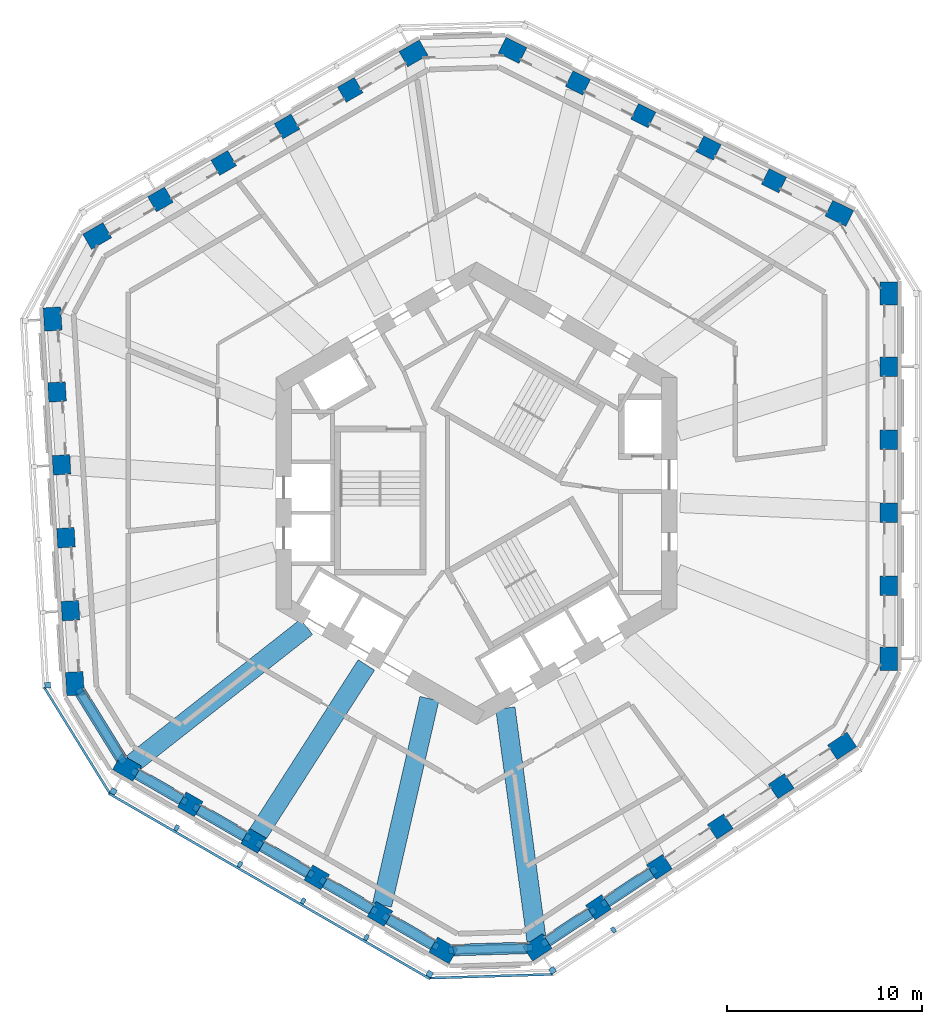
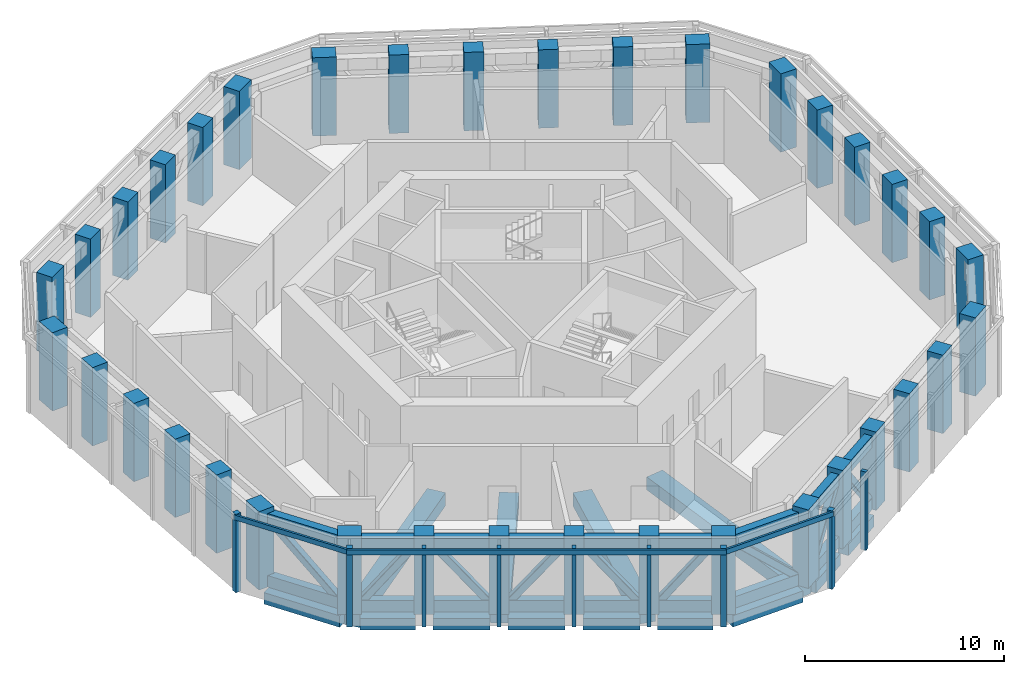
# One storey, part 1 of 15: 39 members, 36 columns, 13 beams, 5 elements without a shape of their own.
"""IFC4 building model written with IfcOpenShell, lengths in metres."""

from ifc_helpers import new_model, si_unit, direction, frame, origin, origin_2d, place, context, subcontext, project, spatial, rectangle, hollow_rectangle, extrude, material, material_profile, profile_set, type_object, element, aggregate, save


model = new_model("IFC4")

# Units and contexts
model_context = context("Model", 3, precision=1e-05, world=origin(), true_north=direction((0.0, 1.0)))
body_context = subcontext(model_context, "Body", "Model", "MODEL_VIEW")
ifc_project = project(units=[si_unit("LENGTHUNIT", "METRE"), si_unit("AREAUNIT", "SQUARE_METRE"), si_unit("VOLUMEUNIT", "CUBIC_METRE"), si_unit("PLANEANGLEUNIT", "RADIAN"), si_unit("MASSUNIT", "GRAM", prefix="KILO")], contexts=[model_context])

# Site, building, storey
site_placement = place(None, origin())
site = spatial("IfcSite", under=ifc_project, at=site_placement, CompositionType="ELEMENT")
building_placement = place(site_placement, origin())
building = spatial("IfcBuilding", under=site, at=building_placement, Name="Vanh Sen Convention Tower", CompositionType="ELEMENT")
storey_placement = place(building_placement, frame((0.0, 0.0, 205.800048828125)))
storey = spatial("IfcBuildingStorey", under=building, at=storey_placement, Name="L51", CompositionType="ELEMENT", Elevation=205.800048828125)

# Columns
ifc_material_1 = material(Name="Concrete C80/95", Category="concrete")
ifc_material_profile_1 = material_profile(ifc_material_1, rectangle(XDim=1.0, YDim=0.89990234375, at=origin_2d()), Name="RC 1000X900")
ifc_profile_set_1 = profile_set([ifc_material_profile_1], Name="Concrete C80/95")
column_type_1 = type_object("IfcColumnType", Name="Facade column 1000 x 900 C80/95", PredefinedType="COLUMN", material=ifc_profile_set_1)
for number, where, z_axis, x_axis, name in (
    (1, (21.199951171875, -4.746826171875, 0.0), (0.0, 0.0, 1.0), (0.0, 1.0, 0.0), "Facade column 02 L51"),
    (2, (21.199951171875, -0.992919921875, 0.0), (0.0, 0.0, 1.0), (0.0, 1.0, 0.0), "Facade column 03 L51"),
    (3, (21.199951171875, 2.76123046875, 0.0), (0.0, 0.0, 1.0), (0.0, 1.0, 0.0), "Facade column 04 L51"),
    (4, (21.199951171875, 6.515380859375, 0.0), (0.0, 0.0, 1.0), (0.0, 1.0, 0.0), "Facade column 05 L51"),
    (5, (15.290283203125, 16.0654296875, 0.0), (0.0, 0.0, 1.0), (-0.894934361602, 0.44619781311, 0.0), "Facade column 08 L51"),
    (6, (11.9306640625, 17.740478515625, 0.0), (0.0, 0.0, 1.0), (-0.894934361602, 0.44619781311, 0.0), "Facade column 09 L51"),
    (7, (8.57080078125, 19.41552734375, 0.0), (0.0, 0.0, 1.0), (-0.894934361602, 0.44619781311, 0.0), "Facade column 10 L51"),
    (8, (5.211181640625, 21.0908203125, 0.0), (0.0, 0.0, 1.0), (-0.894934361602, 0.44619781311, 0.0), "Facade column 11 L51"),
    (9, (-6.489013671875, 20.733154296875, 0.0), (0.0, 0.0, 1.0), (-0.866025403784, -0.5, 0.0), "Facade column 14 L51"),
    (10, (-9.740234375, 18.856201171875, 0.0), (0.0, 0.0, 1.0), (-0.866025403784, -0.5, 0.0), "Facade column 15 L51"),
    (11, (-12.991455078125, 16.97900390625, 0.0), (0.0, 0.0, 1.0), (-0.866025403784, -0.5, 0.0), "Facade column 16 L51"),
    (12, (-16.242431640625, 15.10205078125, 0.0), (0.0, 0.0, 1.0), (-0.866025403784, -0.5, 0.0), "Facade column 17 L51"),
    (13, (-21.55810546875, 5.208984375, 0.0), (0.0, 0.0, 1.0), (0.061048539535, -0.998134798422, 0.0), "Facade column 20 L51"),
    (14, (-21.3291015625, 1.4619140625, 0.0), (0.0, 0.0, 1.0), (0.061048539535, -0.998134798422, 0.0), "Facade column 21 L51"),
    (15, (-21.099853515625, -2.28515625, 0.0), (0.0, 0.0, 1.0), (0.061048539535, -0.998134798422, 0.0), "Facade column 22 L51"),
    (16, (-20.87060546875, -6.0322265625, 0.0), (0.0, 0.0, 1.0), (0.061048539535, -0.998134798422, 0.0), "Facade column 23 L51"),
    (17, (-14.7109375, -15.986328125, 0.0), (0.0, 0.0, 1.0), (0.866025403784, -0.5, 0.0), "Facade column 26 L51"),
    (18, (-11.459716796875, -17.86328125, 0.0), (0.0, 0.0, 1.0), (0.866025403784, -0.5, 0.0), "Facade column 27 L51"),
    (19, (-8.20849609375, -19.740478515625, 0.0), (0.0, 0.0, 1.0), (0.866025403784, -0.5, 0.0), "Facade column 28 L51"),
    (20, (-4.95751953125, -21.617431640625, 0.0), (0.0, 0.0, 1.0), (0.866025403784, -0.5, 0.0), "Facade column 29 L51"),
    (21, (6.267822265625, -21.2744140625, 0.0), (0.0, 0.0, 1.0), (0.833885822067, 0.551936985312, 0.0), "Facade column 32 L51"),
    (22, (9.3984375, -19.202392578125, 0.0), (0.0, 0.0, 1.0), (0.833885822067, 0.551936985312, 0.0), "Facade column 33 L51"),
    (23, (12.52880859375, -17.13037109375, 0.0), (0.0, 0.0, 1.0), (0.833885822067, 0.551936985312, 0.0), "Facade column 34 L51"),
    (24, (15.659423828125, -15.058349609375, 0.0), (0.0, 0.0, 1.0), (0.833885822067, 0.551936985312, 0.0), "Facade column 35 L51"),
):
    element("IfcColumn", number, at=place(storey_placement, frame(where, z_axis=z_axis, x_axis=x_axis)), inside=storey, type_object=column_type_1, Name=name, PredefinedType="COLUMN", context=body_context, shape_type="SweptSolid", body=[
        extrude(rectangle(XDim=1.0, YDim=0.89990234375, at=origin_2d()), origin(), (0.0, 0.0, 1.0), 4.800048828125),
    ])
ifc_material_profile_2 = material_profile(ifc_material_1, rectangle(XDim=1.199951171875, YDim=0.89990234375, at=origin_2d()), Name="RC 1200X900")
ifc_profile_set_2 = profile_set([ifc_material_profile_2], Name="Concrete C80/95")
column_type_2 = type_object("IfcColumnType", Name="Facade corner column 1200 x 900 C80/95", PredefinedType="COLUMN", material=ifc_profile_set_2)
for number, where, z_axis, x_axis, name in (
    (25, (21.199951171875, -8.5009765625, 0.0), (0.0, 0.0, 1.0), (0.0, 1.0, 0.0), "Facade column 01 L51"),
    (26, (21.199951171875, 10.26953125, 0.0), (0.0, 0.0, 1.0), (0.0, 1.0, 0.0), "Facade column 06 L51"),
    (27, (18.64990234375, 14.390380859375, 0.0), (0.0, 0.0, 1.0), (-0.894934361602, 0.44619781311, 0.0), "Facade column 07 L51"),
    (28, (1.8515625, 22.765625, 0.0), (0.0, 0.0, 1.0), (-0.894934361602, 0.44619781311, 0.0), "Facade column 12 L51"),
    (29, (-3.23779296875, 22.610107421875, 0.0), (0.0, 0.0, 1.0), (-0.866025403784, -0.5, 0.0), "Facade column 13 L51"),
    (30, (-19.49365234375, 13.22509765625, 0.0), (0.0, 0.0, 1.0), (-0.866025403784, -0.5, 0.0), "Facade column 18 L51"),
    (31, (-21.787353515625, 8.956298828125, 0.0), (0.0, 0.0, 1.0), (0.061048539535, -0.998134798422, 0.0), "Facade column 19 L51"),
    (32, (-20.6416015625, -9.779296875, 0.0), (0.0, 0.0, 1.0), (0.061048539535, -0.998134798422, 0.0), "Facade column 24 L51"),
    (33, (-17.962158203125, -14.109130859375, 0.0), (0.0, 0.0, 1.0), (0.866025403784, -0.5, 0.0), "Facade column 25 L51"),
    (34, (-1.706298828125, -23.494384765625, 0.0), (0.0, 0.0, 1.0), (0.866025403784, -0.5, 0.0), "Facade column 30 L51"),
    (35, (3.137451171875, -23.346435546875, 0.0), (0.0, 0.0, 1.0), (0.833885822067, 0.551936985312, 0.0), "Facade column 31 L51"),
    (36, (18.789794921875, -12.986328125, 0.0), (0.0, 0.0, 1.0), (0.833885822067, 0.551936985312, 0.0), "Facade column 36 L51"),
):
    element("IfcColumn", number, at=place(storey_placement, frame(where, z_axis=z_axis, x_axis=x_axis)), inside=storey, type_object=column_type_2, Name=name, PredefinedType="COLUMN", context=body_context, shape_type="SweptSolid", body=[
        extrude(rectangle(XDim=1.199951171875, YDim=0.89990234375, at=origin_2d()), origin(), (0.0, 0.0, 1.0), 4.800048828125),
    ])

# Members
ifc_material_2 = material(Name="Steel S460", Category="steel")
ifc_material_profile_3 = material_profile(ifc_material_2, hollow_rectangle(XDim=0.449951171875, YDim=0.699951171875, WallThickness=0.035888671875, at=origin_2d()), Name="BOX 700X450X36")
ifc_profile_set_3 = profile_set([ifc_material_profile_3], Name="Steel S460")
member_type_1 = type_object("IfcMemberType", Name="Belt truss chord BOX 700X450X36", PredefinedType="CHORD", material=ifc_profile_set_3)
for number, where, z_axis, x_axis, name in (
    (37, (-20.3642578125, -10.2275390625, 0.349853515625), (0.526210982295, -0.850354045156, 0.0), (0.850354045156, 0.526210982295, 0.0), "BELT TRUSS chord bottom 24 L51"),
    (38, (-20.3642578125, -10.2275390625, 4.14990234375), (0.526210982295, -0.850354045156, 0.0), (0.850354045156, 0.526210982295, 0.0), "BELT TRUSS chord top 24 L51"),
):
    element("IfcMember", number, at=place(storey_placement, frame(where, z_axis=z_axis, x_axis=x_axis)), inside=storey, type_object=member_type_1, Name=name, PredefinedType="CHORD", context=body_context, shape_type="SweptSolid", body=[
        extrude(hollow_rectangle(XDim=0.449951171875, YDim=0.699951171875, WallThickness=0.035888671875, at=origin_2d()), origin(), (0.0, 0.0, 1.0), 4.037841796875),
    ])
for number, where, z_axis, x_axis, name in (
    (39, (-17.44677734375, -14.40673828125, 0.349853515625), (0.866023818221, -0.500002746266, 0.0), (0.500002746266, 0.866023818221, 0.0), "BELT TRUSS chord bottom 25 L51"),
    (40, (-17.44677734375, -14.40673828125, 4.14990234375), (0.866023818221, -0.500002746266, 0.0), (0.500002746266, 0.866023818221, 0.0), "BELT TRUSS chord top 25 L51"),
):
    element("IfcMember", number, at=place(storey_placement, frame(where, z_axis=z_axis, x_axis=x_axis)), inside=storey, type_object=member_type_1, Name=name, PredefinedType="CHORD", context=body_context, shape_type="SweptSolid", body=[
        extrude(hollow_rectangle(XDim=0.449951171875, YDim=0.699951171875, WallThickness=0.035888671875, at=origin_2d()), origin(), (0.0, 0.0, 1.0), 2.6640625),
    ])
for number, where, z_axis, x_axis, name in (
    (41, (-14.2822265625, -16.23388671875, 0.349853515625), (0.866060565847, -0.499939092575, 0.0), (0.499939092575, 0.866060565847, 0.0), "BELT TRUSS chord bottom 26 L51"),
    (42, (-14.2822265625, -16.23388671875, 4.14990234375), (0.866060565847, -0.499939092575, 0.0), (0.499939092575, 0.866060565847, 0.0), "BELT TRUSS chord top 26 L51"),
):
    element("IfcMember", number, at=place(storey_placement, frame(where, z_axis=z_axis, x_axis=x_axis)), inside=storey, type_object=member_type_1, Name=name, PredefinedType="CHORD", context=body_context, shape_type="SweptSolid", body=[
        extrude(hollow_rectangle(XDim=0.449951171875, YDim=0.699951171875, WallThickness=0.035888671875, at=origin_2d()), origin(), (0.0, 0.0, 1.0), 2.763916015625),
    ])
for number, where, z_axis, x_axis, name in (
    (43, (-11.031005859375, -18.11083984375, 0.349853515625), (0.866022320763, -0.500005339912, 0.0), (0.500005339912, 0.866022320763, 0.0), "BELT TRUSS chord bottom 27 L51"),
    (44, (-11.031005859375, -18.11083984375, 4.14990234375), (0.866022320763, -0.500005339912, 0.0), (0.500005339912, 0.866022320763, 0.0), "BELT TRUSS chord top 27 L51"),
    (45, (-7.77978515625, -19.98779296875, 0.349853515625), (0.865961984968, -0.500109828528, 0.0), (0.500109828528, 0.865961984968, 0.0), "BELT TRUSS chord bottom 28 L51"),
    (46, (-7.77978515625, -19.98779296875, 4.14990234375), (0.865961984968, -0.500109828528, 0.0), (0.500109828528, 0.865961984968, 0.0), "BELT TRUSS chord top 28 L51"),
):
    element("IfcMember", number, at=place(storey_placement, frame(where, z_axis=z_axis, x_axis=x_axis)), inside=storey, type_object=member_type_1, Name=name, PredefinedType="CHORD", context=body_context, shape_type="SweptSolid", body=[
        extrude(hollow_rectangle(XDim=0.449951171875, YDim=0.699951171875, WallThickness=0.035888671875, at=origin_2d()), origin(), (0.0, 0.0, 1.0), 2.76416015625),
    ])
for number, where, z_axis, x_axis, name in (
    (47, (-4.52880859375, -21.864990234375, 0.349853515625), (0.866023818221, -0.500002746266, 0.0), (0.500002746266, 0.866023818221, 0.0), "BELT TRUSS chord bottom 29 L51"),
    (48, (-4.52880859375, -21.864990234375, 4.14990234375), (0.866023818221, -0.500002746266, 0.0), (0.500002746266, 0.866023818221, 0.0), "BELT TRUSS chord top 29 L51"),
):
    element("IfcMember", number, at=place(storey_placement, frame(where, z_axis=z_axis, x_axis=x_axis)), inside=storey, type_object=member_type_1, Name=name, PredefinedType="CHORD", context=body_context, shape_type="SweptSolid", body=[
        extrude(hollow_rectangle(XDim=0.449951171875, YDim=0.699951171875, WallThickness=0.035888671875, at=origin_2d()), origin(), (0.0, 0.0, 1.0), 2.6640625),
    ])
for number, where, z_axis, x_axis, name in (
    (49, (-1.219970703125, -23.4794921875, 0.349853515625), (0.999534445971, 0.030510511595, 0.0), (-0.030510511595, 0.999534445971, 0.0), "BELT TRUSS chord bottom 30 L51"),
    (50, (-1.219970703125, -23.4794921875, 4.14990234375), (0.999534445971, 0.030510511595, 0.0), (-0.030510511595, 0.999534445971, 0.0), "BELT TRUSS chord top 30 L51"),
):
    element("IfcMember", number, at=place(storey_placement, frame(where, z_axis=z_axis, x_axis=x_axis)), inside=storey, type_object=member_type_1, Name=name, PredefinedType="CHORD", context=body_context, shape_type="SweptSolid", body=[
        extrude(hollow_rectangle(XDim=0.449951171875, YDim=0.699951171875, WallThickness=0.035888671875, at=origin_2d()), origin(), (0.0, 0.0, 1.0), 3.872802734375),
    ])
for number, where, z_axis, x_axis, name in (
    (51, (3.633544921875, -23.01806640625, 0.349853515625), (0.833864593577, 0.551969056722, 0.0), (-0.551969056722, 0.833864593577, 0.0), "BELT TRUSS chord bottom 31 L51"),
    (52, (3.633544921875, -23.01806640625, 4.14990234375), (0.833864593577, 0.551969056722, 0.0), (-0.551969056722, 0.833864593577, 0.0), "BELT TRUSS chord top 31 L51"),
):
    element("IfcMember", number, at=place(storey_placement, frame(where, z_axis=z_axis, x_axis=x_axis)), inside=storey, type_object=member_type_1, Name=name, PredefinedType="CHORD", context=body_context, shape_type="SweptSolid", body=[
        extrude(hollow_rectangle(XDim=0.449951171875, YDim=0.699951171875, WallThickness=0.035888671875, at=origin_2d()), origin(), (0.0, 0.0, 1.0), 2.6640625),
    ])
for number, where, z_axis, x_axis, name in (
    (53, (6.6806640625, -21.001220703125, 0.349853515625), (0.833880195108, 0.551945486625, 0.0), (-0.551945486625, 0.833880195108, 0.0), "BELT TRUSS chord bottom 32 L51"),
    (54, (6.6806640625, -21.001220703125, 4.14990234375), (0.833880195108, 0.551945486625, 0.0), (-0.551945486625, 0.833880195108, 0.0), "BELT TRUSS chord top 32 L51"),
):
    element("IfcMember", number, at=place(storey_placement, frame(where, z_axis=z_axis, x_axis=x_axis)), inside=storey, type_object=member_type_1, Name=name, PredefinedType="CHORD", context=body_context, shape_type="SweptSolid", body=[
        extrude(hollow_rectangle(XDim=0.449951171875, YDim=0.699951171875, WallThickness=0.035888671875, at=origin_2d()), origin(), (0.0, 0.0, 1.0), 2.76416015625),
    ])
ifc_material_3 = material(Name="Steel S355", Category="steel")
ifc_material_profile_4 = material_profile(ifc_material_3, hollow_rectangle(XDim=0.39990234375, YDim=0.39990234375, WallThickness=0.02001953125, InnerFilletRadius=0.02001953125, OuterFilletRadius=0.0400390625, at=origin_2d()), Name="SHS 400X400X20")
ifc_profile_set_4 = profile_set([ifc_material_profile_4], Name="Steel S355")
member_type_2 = type_object("IfcMemberType", Name="Belt truss diagonal SHS 400X400X20", PredefinedType="BRACE", material=ifc_profile_set_4)
member_1_placement = place(storey_placement, frame((-20.4052734375, -10.161376953125, 4.14990234375), z_axis=(0.3899498344, -0.630114756195, -0.671486798588), x_axis=(0.850338340979, 0.526236359312, 0.0)))
element("IfcMember", 55, at=member_1_placement, inside=storey, type_object=member_type_2, Name="BELT TRUSS diagonal 24 L51", PredefinedType="BRACE", context=body_context, shape_type="SweptSolid", body=[
    extrude(hollow_rectangle(XDim=0.39990234375, YDim=0.39990234375, WallThickness=0.02001953125, InnerFilletRadius=0.02001953125, OuterFilletRadius=0.0400390625, at=origin_2d()), origin(), (0.0, 0.0, 1.0), 5.6591796875),
])
member_2_placement = place(storey_placement, frame((-17.570068359375, -14.335693359375, 0.349853515625), z_axis=(0.530931450523, -0.306478403275, 0.790052392675), x_axis=(0.499932695379, 0.866064258639, 0.0)))
element("IfcMember", 56, at=member_2_placement, inside=storey, type_object=member_type_2, Name="BELT TRUSS diagonal 25 L51", PredefinedType="BRACE", context=body_context, shape_type="SweptSolid", body=[
    extrude(hollow_rectangle(XDim=0.39990234375, YDim=0.39990234375, WallThickness=0.02001953125, InnerFilletRadius=0.02001953125, OuterFilletRadius=0.0400390625, at=origin_2d()), origin(), (0.0, 0.0, 1.0), 4.809814453125),
])
for number, where, z_axis, x_axis, name in (
    (57, (-14.405517578125, -16.16259765625, 4.14990234375), (0.541921133937, -0.312905082329, -0.780007624351), (0.500032083853, 0.866006879371, 0.0), "BELT TRUSS diagonal 26 L51"),
    (58, (-11.154296875, -18.039794921875, 0.349853515625), (0.541929631098, -0.312859874879, 0.780019854637), (0.499972021306, 0.866041556688, 0.0), "BELT TRUSS diagonal 27 L51"),
    (59, (-7.903076171875, -19.916748046875, 4.14990234375), (0.541921133937, -0.312905082329, -0.780007624351), (0.500032083853, 0.866006879371, 0.0), "BELT TRUSS diagonal 28 L51"),
):
    element("IfcMember", number, at=place(storey_placement, frame(where, z_axis=z_axis, x_axis=x_axis)), inside=storey, type_object=member_type_2, Name=name, PredefinedType="BRACE", context=body_context, shape_type="SweptSolid", body=[
        extrude(hollow_rectangle(XDim=0.39990234375, YDim=0.39990234375, WallThickness=0.02001953125, InnerFilletRadius=0.02001953125, OuterFilletRadius=0.0400390625, at=origin_2d()), origin(), (0.0, 0.0, 1.0), 4.871826171875),
    ])
member_3_placement = place(storey_placement, frame((-4.652099609375, -21.793701171875, 0.349853515625), z_axis=(0.530914929887, -0.306570380164, 0.790027809149), x_axis=(0.500056887695, 0.865992557167, 0.0)))
element("IfcMember", 60, at=member_3_placement, inside=storey, type_object=member_type_2, Name="BELT TRUSS diagonal 29 L51", PredefinedType="BRACE", context=body_context, shape_type="SweptSolid", body=[
    extrude(hollow_rectangle(XDim=0.39990234375, YDim=0.39990234375, WallThickness=0.02001953125, InnerFilletRadius=0.02001953125, OuterFilletRadius=0.0400390625, at=origin_2d()), origin(), (0.0, 0.0, 1.0), 4.81005859375),
])
member_4_placement = place(storey_placement, frame((-1.302978515625, -23.482177734375, 4.14990234375), z_axis=(0.727961830653, 0.022232883246, -0.685257084615), x_axis=(-0.030527042052, 0.999533941246, 0.0)))
element("IfcMember", 61, at=member_4_placement, inside=storey, type_object=member_type_2, Name="BELT TRUSS diagonal 30 L51", PredefinedType="BRACE", context=body_context, shape_type="SweptSolid", body=[
    extrude(hollow_rectangle(XDim=0.39990234375, YDim=0.39990234375, WallThickness=0.02001953125, InnerFilletRadius=0.02001953125, OuterFilletRadius=0.0400390625, at=origin_2d()), origin(), (0.0, 0.0, 1.0), 5.54541015625),
])
member_5_placement = place(storey_placement, frame((3.514892578125, -23.0966796875, 0.349853515625), z_axis=(0.511229541221, 0.338349495808, 0.790040489386), x_axis=(-0.551907544043, 0.833905308071, 0.0)))
element("IfcMember", 62, at=member_5_placement, inside=storey, type_object=member_type_2, Name="BELT TRUSS diagonal 31 L51", PredefinedType="BRACE", context=body_context, shape_type="SweptSolid", body=[
    extrude(hollow_rectangle(XDim=0.39990234375, YDim=0.39990234375, WallThickness=0.02001953125, InnerFilletRadius=0.02001953125, OuterFilletRadius=0.0400390625, at=origin_2d()), origin(), (0.0, 0.0, 1.0), 4.81005859375),
])
member_6_placement = place(storey_placement, frame((6.56201171875, -21.079833984375, 4.14990234375), z_axis=(0.521825786206, 0.34537821171, -0.78000752543), x_axis=(-0.551925048977, 0.833893722432, 0.0)))
element("IfcMember", 63, at=member_6_placement, inside=storey, type_object=member_type_2, Name="BELT TRUSS diagonal 32 L51", PredefinedType="BRACE", context=body_context, shape_type="SweptSolid", body=[
    extrude(hollow_rectangle(XDim=0.39990234375, YDim=0.39990234375, WallThickness=0.02001953125, InnerFilletRadius=0.02001953125, OuterFilletRadius=0.0400390625, at=origin_2d()), origin(), (0.0, 0.0, 1.0), 4.871826171875),
])

# Curtain wall, member
ifc_material_4 = material(Name="Concrete C50/60", Category="concrete")
curtain_wall_type = type_object("IfcCurtainWallType", Name="Outer skin office zone", PredefinedType="NOTDEFINED", material=ifc_material_4)
curtain_wall_1_placement = place(storey_placement, origin())
curtain_wall_1 = element("IfcCurtainWall", 64, at=curtain_wall_1_placement, inside=storey, type_object=curtain_wall_type, Name="OUTER SKIN W L51", PredefinedType="NOTDEFINED")
ifc_material_profile_5 = material_profile(ifc_material_4, rectangle(XDim=0.300048828125, YDim=0.300048828125, at=origin_2d()), Name="Outer skin precast corner fin 300 x 300")
ifc_profile_set_5 = profile_set([ifc_material_profile_5], Name="Concrete C50/60")
member_type_3 = type_object("IfcMemberType", Name="Outer skin precast corner fin 300 x 300", PredefinedType="MULLION", material=ifc_profile_set_5)
member_7_placement = place(storey_placement, frame((-22.038818359375, -9.864990234375, 0.0), z_axis=(0.0, 0.0, 1.0), x_axis=(0.061048539535, -0.998134798422, 0.0)))
member_7 = element("IfcMember", 65, at=member_7_placement, type_object=member_type_3, Name="OUTER SKIN CORNER FIN 6 W L51", PredefinedType="MULLION", context=body_context, shape_type="SweptSolid", body=[
    extrude(rectangle(XDim=0.300048828125, YDim=0.300048828125, at=origin_2d()), origin(), (0.0, 0.0, 1.0), 4.800048828125),
])
aggregate(curtain_wall_1, [member_7])

# Curtain wall, members
curtain_wall_2_placement = place(storey_placement, origin())
curtain_wall_2 = element("IfcCurtainWall", 66, at=curtain_wall_2_placement, inside=storey, type_object=curtain_wall_type, Name="OUTER SKIN SW L51", PredefinedType="NOTDEFINED")
member_8_placement = place(storey_placement, frame((-18.662109375, -15.321533203125, 0.0), z_axis=(0.0, 0.0, 1.0), x_axis=(0.866025403784, -0.5, 0.0)))
member_8 = element("IfcMember", 67, at=member_8_placement, type_object=member_type_3, Name="OUTER SKIN CORNER FIN 1 SW L51", PredefinedType="MULLION", context=body_context, shape_type="SweptSolid", body=[
    extrude(rectangle(XDim=0.300048828125, YDim=0.300048828125, at=origin_2d()), origin(), (0.0, 0.0, 1.0), 4.800048828125),
])
member_9_placement = place(storey_placement, frame((-2.40625, -24.706787109375, 0.0), z_axis=(0.0, 0.0, 1.0), x_axis=(0.866025403784, -0.5, 0.0)))
member_9 = element("IfcMember", 68, at=member_9_placement, type_object=member_type_3, Name="OUTER SKIN CORNER FIN 6 SW L51", PredefinedType="MULLION", context=body_context, shape_type="SweptSolid", body=[
    extrude(rectangle(XDim=0.300048828125, YDim=0.300048828125, at=origin_2d()), origin(), (0.0, 0.0, 1.0), 4.800048828125),
])

# Curtain wall, member
curtain_wall_3_placement = place(storey_placement, origin())
curtain_wall_3 = element("IfcCurtainWall", 69, at=curtain_wall_3_placement, inside=storey, type_object=curtain_wall_type, Name="OUTER SKIN SE L51", PredefinedType="NOTDEFINED")
member_10_placement = place(storey_placement, frame((3.91015625, -24.513916015625, 0.0), z_axis=(0.0, 0.0, 1.0), x_axis=(0.833885822067, 0.551936985312, 0.0)))
member_10 = element("IfcMember", 70, at=member_10_placement, type_object=member_type_3, Name="OUTER SKIN CORNER FIN 1 SE L51", PredefinedType="MULLION", context=body_context, shape_type="SweptSolid", body=[
    extrude(rectangle(XDim=0.300048828125, YDim=0.300048828125, at=origin_2d()), origin(), (0.0, 0.0, 1.0), 4.800048828125),
])

# Member
ifc_material_profile_6 = material_profile(ifc_material_4, rectangle(XDim=0.199951171875, YDim=0.300048828125, at=origin_2d()), Name="Outer skin precast fin 200 x 300")
ifc_profile_set_6 = profile_set([ifc_material_profile_6], Name="Concrete C50/60")
member_type_4 = type_object("IfcMemberType", Name="Outer skin precast fin 200 x 300", PredefinedType="MULLION", material=ifc_profile_set_6)
member_11_placement = place(storey_placement, frame((-15.410888671875, -17.19873046875, 0.0), z_axis=(0.0, 0.0, 1.0), x_axis=(0.866025403784, -0.5, 0.0)))
member_11 = element("IfcMember", 71, at=member_11_placement, type_object=member_type_4, Name="OUTER SKIN fin 2 SW L51", PredefinedType="MULLION", context=body_context, shape_type="SweptSolid", body=[
    extrude(rectangle(XDim=0.199951171875, YDim=0.300048828125, at=origin_2d()), origin(), (0.0, 0.0, 1.0), 4.800048828125),
])

member_12_placement = place(storey_placement, frame((-12.159912109375, -19.07568359375, 0.0), z_axis=(0.0, 0.0, 1.0), x_axis=(0.866025403784, -0.5, 0.0)))
member_12 = element("IfcMember", 72, at=member_12_placement, type_object=member_type_4, Name="OUTER SKIN fin 3 SW L51", PredefinedType="MULLION", context=body_context, shape_type="SweptSolid", body=[
    extrude(rectangle(XDim=0.199951171875, YDim=0.300048828125, at=origin_2d()), origin(), (0.0, 0.0, 1.0), 4.800048828125),
])

member_13_placement = place(storey_placement, frame((-8.90869140625, -20.952880859375, 0.0), z_axis=(0.0, 0.0, 1.0), x_axis=(0.866025403784, -0.5, 0.0)))
member_13 = element("IfcMember", 73, at=member_13_placement, type_object=member_type_4, Name="OUTER SKIN fin 4 SW L51", PredefinedType="MULLION", context=body_context, shape_type="SweptSolid", body=[
    extrude(rectangle(XDim=0.199951171875, YDim=0.300048828125, at=origin_2d()), origin(), (0.0, 0.0, 1.0), 4.800048828125),
])

member_14_placement = place(storey_placement, frame((-5.657470703125, -22.829833984375, 0.0), z_axis=(0.0, 0.0, 1.0), x_axis=(0.866025403784, -0.5, 0.0)))
member_14 = element("IfcMember", 74, at=member_14_placement, type_object=member_type_4, Name="OUTER SKIN fin 5 SW L51", PredefinedType="MULLION", context=body_context, shape_type="SweptSolid", body=[
    extrude(rectangle(XDim=0.199951171875, YDim=0.300048828125, at=origin_2d()), origin(), (0.0, 0.0, 1.0), 4.800048828125),
])

member_15_placement = place(storey_placement, frame((7.04052734375, -22.44189453125, 0.0), z_axis=(0.0, 0.0, 1.0), x_axis=(0.833885822067, 0.551936985312, 0.0)))
member_15 = element("IfcMember", 75, at=member_15_placement, type_object=member_type_4, Name="OUTER SKIN fin 2 SE L51", PredefinedType="MULLION", context=body_context, shape_type="SweptSolid", body=[
    extrude(rectangle(XDim=0.199951171875, YDim=0.300048828125, at=origin_2d()), origin(), (0.0, 0.0, 1.0), 4.800048828125),
])

aggregate(curtain_wall_3, [member_10, member_15])

# Curtain wall, member
curtain_wall_4_placement = place(storey_placement, origin())
curtain_wall_4 = element("IfcCurtainWall", 76, at=curtain_wall_4_placement, inside=storey, type_object=curtain_wall_type, Name="OUTER SKIN CH4 L51", PredefinedType="NOTDEFINED")
ifc_material_profile_7 = material_profile(ifc_material_4, rectangle(XDim=0.1201171875, YDim=0.300048828125, at=origin_2d()), Name="Outer skin precast spandrel band 300 x 120")
ifc_profile_set_7 = profile_set([ifc_material_profile_7], Name="Concrete C50/60")
member_type_5 = type_object("IfcMemberType", Name="Outer skin precast spandrel band 300 x 120", PredefinedType="USERDEFINED", material=ifc_profile_set_7)
member_16_placement = place(storey_placement, frame((-22.217529296875, -9.975341796875, 4.64990234375), z_axis=(0.526207913146, -0.85035594438, 0.0), x_axis=(0.85035594438, 0.526207913146, 0.0)))
member_16 = element("IfcMember", 77, at=member_16_placement, type_object=member_type_5, Name="OUTER SKIN spandrel band CH4 L51", ObjectType="TRANSOM", PredefinedType="USERDEFINED", context=body_context, shape_type="SweptSolid", body=[
    extrude(rectangle(XDim=0.1201171875, YDim=0.300048828125, at=origin_2d()), origin(), (0.0, 0.0, 1.0), 6.4169921875),
])
aggregate(curtain_wall_4, [member_16])

# Member
member_17_placement = place(storey_placement, frame((-18.89697265625, -15.428466796875, 4.64990234375), z_axis=(0.866023136587, -0.500003926881, 0.0), x_axis=(0.500003926881, 0.866023136587, 0.0)))
member_17 = element("IfcMember", 78, at=member_17_placement, type_object=member_type_5, Name="OUTER SKIN spandrel band SW L51", ObjectType="TRANSOM", PredefinedType="USERDEFINED", context=body_context, shape_type="SweptSolid", body=[
    extrude(rectangle(XDim=0.1201171875, YDim=0.300048828125, at=origin_2d()), origin(), (0.0, 0.0, 1.0), 19.070556640625),
])

aggregate(curtain_wall_2, [member_8, member_11, member_12, member_13, member_14, member_9, member_17])

# Curtain wall, member
curtain_wall_5_placement = place(storey_placement, origin())
curtain_wall_5 = element("IfcCurtainWall", 79, at=curtain_wall_5_placement, inside=storey, type_object=curtain_wall_type, Name="OUTER SKIN CH5 L51", PredefinedType="NOTDEFINED")
member_18_placement = place(storey_placement, frame((-2.39990234375, -24.916748046875, 4.64990234375), z_axis=(0.99953413443, 0.030520716071, 0.0), x_axis=(-0.030520716071, 0.99953413443, 0.0)))
member_18 = element("IfcMember", 80, at=member_18_placement, type_object=member_type_5, Name="OUTER SKIN spandrel band CH5 L51", ObjectType="TRANSOM", PredefinedType="USERDEFINED", context=body_context, shape_type="SweptSolid", body=[
    extrude(rectangle(XDim=0.1201171875, YDim=0.300048828125, at=origin_2d()), origin(), (0.0, 0.0, 1.0), 6.3193359375),
])
aggregate(curtain_wall_5, [member_18])

# Beams
ifc_material_5 = material(Name="Concrete C50/60", Category="concrete")
ifc_material_profile_8 = material_profile(ifc_material_5, rectangle(XDim=1.0, YDim=0.800048828125, at=origin_2d()), Name="RC 1000X800")
ifc_profile_set_8 = profile_set([ifc_material_profile_8], Name="Concrete C50/60")
beam_type_1 = type_object("IfcBeamType", Name="Radial floor beam 1000 x 800", PredefinedType="BEAM", material=ifc_profile_set_8)
beam_1_placement = place(storey_placement, frame((-17.784423828125, -13.9697265625, -0.75), z_axis=(0.786391215276, 0.61772878882, 0.0), x_axis=(-0.61772878882, 0.786391215276, 0.0)))
element("IfcBeam", 81, at=beam_1_placement, inside=storey, type_object=beam_type_1, Name="Radial beam 13 L51", PredefinedType="BEAM", context=body_context, shape_type="SweptSolid", body=[
    extrude(rectangle(XDim=1.0, YDim=0.800048828125, at=origin_2d()), origin(), (0.0, 0.0, 1.0), 11.5078125),
])
beam_2_placement = place(storey_placement, frame((-11.21923828125, -17.48828125, -0.75), z_axis=(0.539974665262, 0.84168127036, 0.0), x_axis=(-0.84168127036, 0.539974665262, 0.0)))
element("IfcBeam", 82, at=beam_2_placement, inside=storey, type_object=beam_type_1, Name="Radial beam 14 L51", PredefinedType="BEAM", context=body_context, shape_type="SweptSolid", body=[
    extrude(rectangle(XDim=1.0, YDim=0.800048828125, at=origin_2d()), origin(), (0.0, 0.0, 1.0), 10.294677734375),
])
beam_3_placement = place(storey_placement, frame((-4.853515625, -21.16357421875, -0.75), z_axis=(0.223531065408, 0.974696805575, 0.0), x_axis=(-0.974696805575, 0.223531065408, 0.0)))
element("IfcBeam", 83, at=beam_3_placement, inside=storey, type_object=beam_type_1, Name="Radial beam 15 L51", PredefinedType="BEAM", context=body_context, shape_type="SweptSolid", body=[
    extrude(rectangle(XDim=1.0, YDim=0.800048828125, at=origin_2d()), origin(), (0.0, 0.0, 1.0), 10.886962890625),
])
beam_4_placement = place(storey_placement, frame((3.107421875, -23.1240234375, -0.75), z_axis=(-0.133186919827, 0.991090936487, 0.0), x_axis=(-0.991090936487, -0.133186919827, 0.0)))
element("IfcBeam", 84, at=beam_4_placement, inside=storey, type_object=beam_type_1, Name="Radial beam 16 L51", PredefinedType="BEAM", context=body_context, shape_type="SweptSolid", body=[
    extrude(rectangle(XDim=1.0, YDim=0.800048828125, at=origin_2d()), origin(), (0.0, 0.0, 1.0), 12.18994140625),
])
ifc_material_profile_9 = material_profile(ifc_material_5, rectangle(XDim=0.60009765625, YDim=0.699951171875, at=origin_2d()), Name="RC 600X700")
ifc_profile_set_9 = profile_set([ifc_material_profile_9], Name="Concrete C50/60")
beam_type_2 = type_object("IfcBeamType", Name="Spandrel beam 600 x 700", PredefinedType="SPANDREL", material=ifc_profile_set_9)
beam_5_placement = place(storey_placement, frame((-20.437744140625, -10.10888671875, -0.699951171875), z_axis=(0.526231952561, -0.850341068104, 0.0), x_axis=(0.850341068104, 0.526231952561, 0.0)))
element("IfcBeam", 85, at=beam_5_placement, inside=storey, type_object=beam_type_2, Name="Spandrel beam 24 L51", PredefinedType="SPANDREL", context=body_context, shape_type="SweptSolid", body=[
    extrude(rectangle(XDim=0.60009765625, YDim=0.699951171875, at=origin_2d()), origin(), (0.0, 0.0, 1.0), 4.31689453125),
])
beam_6_placement = place(storey_placement, frame((-17.489990234375, -14.381591796875, -0.699951171875), z_axis=(0.865984073989, -0.500071578473, 0.0), x_axis=(0.500071578473, 0.865984073989, 0.0)))
element("IfcBeam", 86, at=beam_6_placement, inside=storey, type_object=beam_type_2, Name="Spandrel beam 25 L51", PredefinedType="SPANDREL", context=body_context, shape_type="SweptSolid", body=[
    extrude(rectangle(XDim=0.60009765625, YDim=0.699951171875, at=origin_2d()), origin(), (0.0, 0.0, 1.0), 2.76416015625),
])
beam_7_placement = place(storey_placement, frame((-14.325439453125, -16.208740234375, -0.699951171875), z_axis=(0.865999615357, -0.500044664207, 0.0), x_axis=(0.500044664207, 0.865999615357, 0.0)))
element("IfcBeam", 87, at=beam_7_placement, inside=storey, type_object=beam_type_2, Name="Spandrel beam 26 L51", PredefinedType="SPANDREL", context=body_context, shape_type="SweptSolid", body=[
    extrude(rectangle(XDim=0.60009765625, YDim=0.699951171875, at=origin_2d()), origin(), (0.0, 0.0, 1.0), 2.864013671875),
])
beam_8_placement = place(storey_placement, frame((-11.074462890625, -18.085693359375, -0.699951171875), z_axis=(0.866020927947, -0.500007752297, 0.0), x_axis=(0.500007752297, 0.866020927947, 0.0)))
element("IfcBeam", 88, at=beam_8_placement, inside=storey, type_object=beam_type_2, Name="Spandrel beam 27 L51", PredefinedType="SPANDREL", context=body_context, shape_type="SweptSolid", body=[
    extrude(rectangle(XDim=0.60009765625, YDim=0.699951171875, at=origin_2d()), origin(), (0.0, 0.0, 1.0), 2.8642578125),
])
beam_9_placement = place(storey_placement, frame((-7.8232421875, -19.962890625, -0.699951171875), z_axis=(0.865999615357, -0.500044664207, 0.0), x_axis=(0.500044664207, 0.865999615357, 0.0)))
element("IfcBeam", 89, at=beam_9_placement, inside=storey, type_object=beam_type_2, Name="Spandrel beam 28 L51", PredefinedType="SPANDREL", context=body_context, shape_type="SweptSolid", body=[
    extrude(rectangle(XDim=0.60009765625, YDim=0.699951171875, at=origin_2d()), origin(), (0.0, 0.0, 1.0), 2.864013671875),
])
beam_10_placement = place(storey_placement, frame((-4.572021484375, -21.840087890625, -0.699951171875), z_axis=(0.866060565847, -0.499939092575, 0.0), x_axis=(0.499939092575, 0.866060565847, 0.0)))
element("IfcBeam", 90, at=beam_10_placement, inside=storey, type_object=beam_type_2, Name="Spandrel beam 29 L51", PredefinedType="SPANDREL", context=body_context, shape_type="SweptSolid", body=[
    extrude(rectangle(XDim=0.60009765625, YDim=0.699951171875, at=origin_2d()), origin(), (0.0, 0.0, 1.0), 2.763916015625),
])
beam_11_placement = place(storey_placement, frame((-1.341064453125, -23.4833984375, -0.699951171875), z_axis=(0.999533143358, 0.030553155795, 0.0), x_axis=(-0.030553155795, 0.999533143358, 0.0)))
element("IfcBeam", 91, at=beam_11_placement, inside=storey, type_object=beam_type_2, Name="Spandrel beam 30 L51", PredefinedType="SPANDREL", context=body_context, shape_type="SweptSolid", body=[
    extrude(rectangle(XDim=0.60009765625, YDim=0.699951171875, at=origin_2d()), origin(), (0.0, 0.0, 1.0), 4.115234375),
])
beam_12_placement = place(storey_placement, frame((3.591796875, -23.045654296875, -0.699951171875), z_axis=(0.833880195108, 0.551945486625, 0.0), x_axis=(-0.551945486625, 0.833880195108, 0.0)))
element("IfcBeam", 92, at=beam_12_placement, inside=storey, type_object=beam_type_2, Name="Spandrel beam 31 L51", PredefinedType="SPANDREL", context=body_context, shape_type="SweptSolid", body=[
    extrude(rectangle(XDim=0.60009765625, YDim=0.699951171875, at=origin_2d()), origin(), (0.0, 0.0, 1.0), 2.76416015625),
])
beam_13_placement = place(storey_placement, frame((6.638916015625, -21.02880859375, -0.699951171875), z_axis=(0.83389470575, 0.551923563297, 0.0), x_axis=(-0.551923563297, 0.83389470575, 0.0)))
element("IfcBeam", 93, at=beam_13_placement, inside=storey, type_object=beam_type_2, Name="Spandrel beam 32 L51", PredefinedType="SPANDREL", context=body_context, shape_type="SweptSolid", body=[
    extrude(rectangle(XDim=0.60009765625, YDim=0.699951171875, at=origin_2d()), origin(), (0.0, 0.0, 1.0), 2.8642578125),
])

save(model, "model.ifc")
